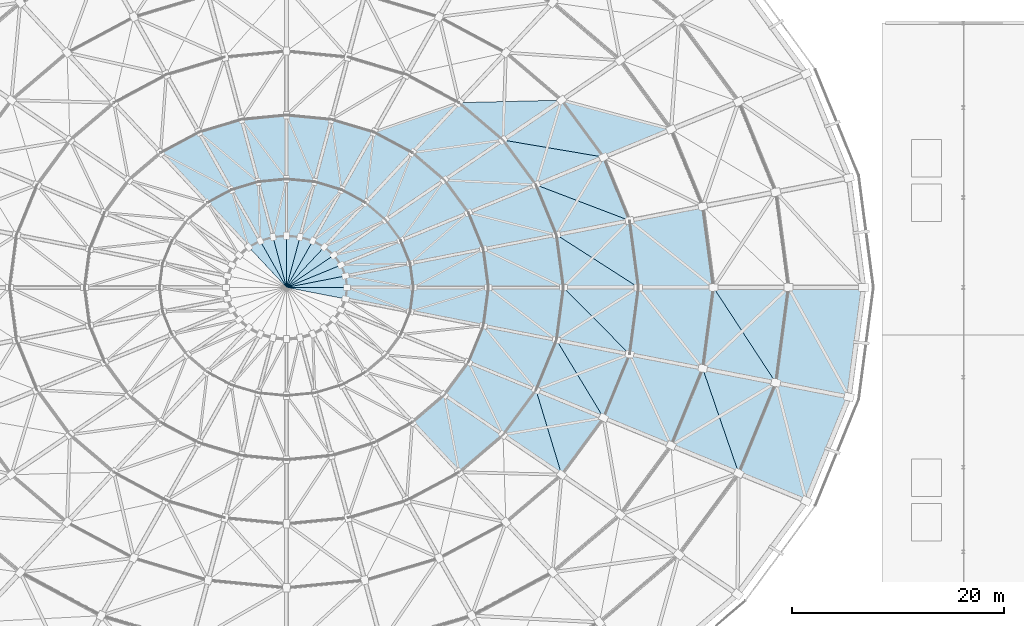
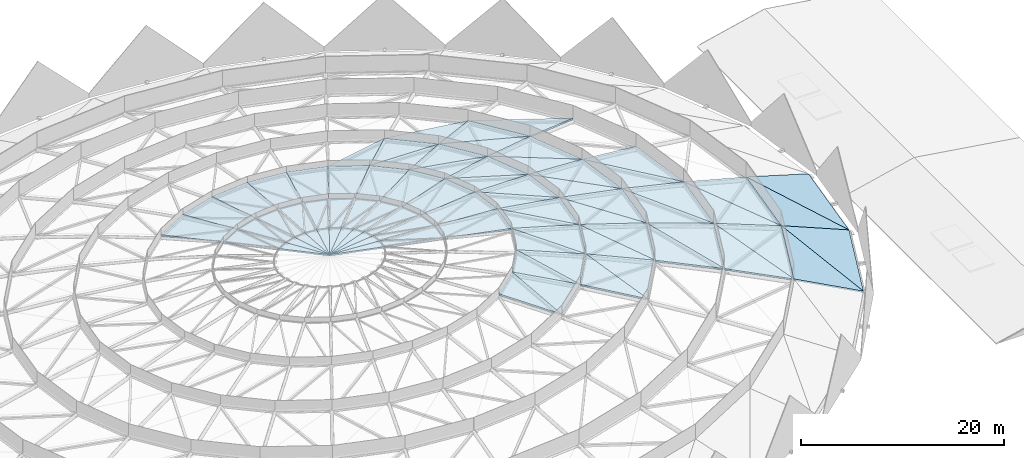
# One storey, part 21 of 27: 56 roofs.
"""IFC4 building model written with IfcOpenShell, lengths in metres."""

from ifc_helpers import new_model, si_unit, direction, frame, origin, place, context, subcontext, project, spatial, polyline, outline, extrude, material, layer, layer_set, type_object, element, save


model = new_model("IFC4")

# Units and contexts
model_context = context("Model", 3, precision=1e-05, world=origin(), true_north=direction((0.0, 1.0)))
body_context = subcontext(model_context, "Body", "Model", "MODEL_VIEW")
ifc_project = project(units=[si_unit("LENGTHUNIT", "METRE"), si_unit("AREAUNIT", "SQUARE_METRE"), si_unit("VOLUMEUNIT", "CUBIC_METRE"), si_unit("PLANEANGLEUNIT", "RADIAN"), si_unit("MASSUNIT", "GRAM", prefix="KILO")], contexts=[model_context])

# Site, building, storey
site_placement = place(None, origin())
site = spatial("IfcSite", under=ifc_project, at=site_placement, CompositionType="ELEMENT")
building_placement = place(site_placement, origin())
building = spatial("IfcBuilding", under=site, at=building_placement, Name="Cuetzalor Civic Arena", CompositionType="ELEMENT")
storey_placement = place(building_placement, frame((0.0, 0.0, 31.800048828125)))
storey = spatial("IfcBuildingStorey", under=building, at=storey_placement, Name="Roof", CompositionType="ELEMENT", Elevation=31.800048828125)

# Roofs
ifc_material = material(Name="Standing-seam acoustic zinc and steel deck", Category="steel")
ifc_layer = layer(ifc_material, 0.179931640625)
ifc_layer_set = layer_set([ifc_layer], Name="Standing-seam acoustic zinc and steel deck")
roof_type = type_object("IfcRoofType", Name="ArenaDomeRoof_StandingSeam", PredefinedType="DOME_ROOF", material=ifc_layer_set)
roof_1_placement = place(storey_placement, frame((49.14794921875, -20.197265625, 0.4150390625), z_axis=(0.270384315389, -0.110870987886, 0.956347189067), x_axis=(0.379392590278, 0.925235787485, 0.0)))
element("IfcRoof", 1, at=roof_1_placement, inside=storey, type_object=roof_type, Name="Arena Space-Frame Dome Shell Panel R1-S27A", PredefinedType="DOME_ROOF", context=body_context, shape_type="SweptSolid", body=[
    extrude(outline(polyline([(0.0, 0.0), (10.63390253661406, 4.440892098500626e-16), (9.256847321696066, 7.223142963294137), (0.0, 0.0)])), origin(), (0.0, 0.0, -1.0), 0.179931640625),
])
roof_2_placement = place(storey_placement, frame((49.14794921875, -20.197265625, 0.4150390625), z_axis=(0.270381615841, -0.110871808875, 0.956347857117), x_axis=(-0.24523208292, 0.952649916149, 0.179775868147)))
element("IfcRoof", 2, at=roof_2_placement, inside=storey, type_object=roof_type, Name="Arena Space-Frame Dome Shell Panel R1-S27B", PredefinedType="DOME_ROOF", context=body_context, shape_type="SweptSolid", body=[
    extrude(outline(polyline([(0.0, 0.0), (11.741508276425868, -3.885780586188048e-16), (4.4477687612989225, 5.691393143351305), (0.0, 0.0)])), origin(), (0.0, 0.0, -1.0), 0.179931640625),
])
roof_3_placement = place(storey_placement, frame((53.182373046875, -10.3583984375, 0.4150390625), z_axis=(0.285083534376, -0.037641132261, 0.957763292045), x_axis=(0.13089937041, 0.99139566008, 0.0)))
element("IfcRoof", 3, at=roof_3_placement, inside=storey, type_object=roof_type, Name="Arena Space-Frame Dome Shell Panel R1-S28A", PredefinedType="DOME_ROOF", context=body_context, shape_type="SweptSolid", body=[
    extrude(outline(polyline([(0.0, 0.0), (10.448299155011798, 2.220446049250313e-16), (9.52001936685034, 7.340576385085506), (0.0, 0.0)])), origin(), (0.0, 0.0, -1.0), 0.179931640625),
])
roof_4_placement = place(storey_placement, frame((53.182373046875, -10.3583984375, 0.4150390625), z_axis=(0.285080326458, -0.037643083852, 0.957764170193), x_axis=(-0.476139356121, 0.861660934165, 0.175589715207)))
element("IfcRoof", 4, at=roof_4_placement, inside=storey, type_object=roof_type, Name="Arena Space-Frame Dome Shell Panel R1-S28B", PredefinedType="DOME_ROOF", context=body_context, shape_type="SweptSolid", body=[
    extrude(outline(polyline([(0.0, 0.0), (12.021432128098567, -1.1102230246251565e-16), (4.822964066533819, 5.550593927323634), (0.0, 0.0)])), origin(), (0.0, 0.0, -1.0), 0.179931640625),
])
roof_5_placement = place(storey_placement, frame((42.758544921875, -17.571533203125, 2.52587890625), z_axis=(0.244639197779, -0.100315956375, 0.964410893658), x_axis=(0.379398237974, 0.925233471629, 0.0)))
element("IfcRoof", 5, at=roof_5_placement, inside=storey, type_object=roof_type, Name="Arena Space-Frame Dome Shell Panel R2-S27A", PredefinedType="DOME_ROOF", context=body_context, shape_type="SweptSolid", body=[
    extrude(outline(polyline([(0.0, 0.0), (9.251518363312615, 0.0), (7.874287721975854, 7.162409295902043), (0.0, 0.0)])), origin(), (0.0, 0.0, -1.0), 0.179931640625),
])
roof_6_placement = place(storey_placement, frame((42.758544921875, -17.571533203125, 2.52587890625), z_axis=(0.244636230763, -0.100317096975, 0.964411527644), x_axis=(-0.319749867351, 0.930648491332, 0.177914046413)))
element("IfcRoof", 6, at=roof_6_placement, inside=storey, type_object=roof_type, Name="Arena Space-Frame Dome Shell Panel R2-S27B", PredefinedType="DOME_ROOF", context=body_context, shape_type="SweptSolid", body=[
    extrude(outline(polyline([(0.0, 0.0), (10.644459312265875, 0.0), (4.823273233006193, 5.295003827984189), (0.0, 0.0)])), origin(), (0.0, 0.0, -1.0), 0.179931640625),
])
roof_7_placement = place(storey_placement, frame((46.2685546875, -9.01171875, 2.52587890625), z_axis=(0.257858759739, -0.034048645291, 0.965582492478), x_axis=(0.130907488693, 0.991394588146, 0.0)))
element("IfcRoof", 7, at=roof_7_placement, inside=storey, type_object=roof_type, Name="Arena Space-Frame Dome Shell Panel R2-S28A", PredefinedType="DOME_ROOF", context=body_context, shape_type="SweptSolid", body=[
    extrude(outline(polyline([(0.0, 0.0), (9.08994143982291, 2.220446049250313e-16), (8.161604080434747, 7.28112518317007), (0.0, 0.0)])), origin(), (0.0, 0.0, -1.0), 0.179931640625),
])
roof_8_placement = place(storey_placement, frame((46.2685546875, -9.01171875, 2.52587890625), z_axis=(0.25786639188, -0.03404325873, 0.965580644211), x_axis=(-0.539581172715, 0.823936633735, 0.17314901571)))
element("IfcRoof", 8, at=roof_8_placement, inside=storey, type_object=roof_type, Name="Arena Space-Frame Dome Shell Panel R2-S28B", PredefinedType="DOME_ROOF", context=body_context, shape_type="SweptSolid", body=[
    extrude(outline(polyline([(0.0, 0.0), (10.937392975419804, -5.551115123125783e-16), (5.167721459682312, 5.146991944485611), (0.0, 0.0)])), origin(), (0.0, 0.0, -1.0), 0.179931640625),
])
roof_9_placement = place(storey_placement, frame((40.366943359375, 0.0, 4.419677734375), z_axis=(0.22805797427, 0.030107981761, 0.973181930477), x_axis=(-0.130883326155, 0.991397778359, 0.0)))
element("IfcRoof", 9, at=roof_9_placement, inside=storey, type_object=roof_type, Name="Arena Space-Frame Dome Shell Panel R3-S01A", PredefinedType="DOME_ROOF", context=body_context, shape_type="SweptSolid", body=[
    extrude(outline(polyline([(0.0, 0.0), (7.73179380713896, -1.1102230246251565e-16), (7.301602100099006, 7.224345066480024), (0.0, 0.0)])), origin(), (0.0, 0.0, -1.0), 0.179931640625),
])
roof_10_placement = place(storey_placement, frame((40.366943359375, 0.0, 4.419677734375), z_axis=(0.228059572575, 0.030110102372, 0.973181490315), x_axis=(-0.77162533224, 0.615156333899, 0.161793175103)))
element("IfcRoof", 10, at=roof_10_placement, inside=storey, type_object=roof_type, Name="Arena Space-Frame Dome Shell Panel R3-S01B", PredefinedType="DOME_ROOF", context=body_context, shape_type="SweptSolid", body=[
    extrude(outline(polyline([(0.0, 0.0), (10.27154101718649, -3.3306690738754696e-16), (5.740900187620725, 4.482631066396403), (0.0, 0.0)])), origin(), (0.0, 0.0, -1.0), 0.179931640625),
])
roof_11_placement = place(storey_placement, frame((36.369384765625, 14.946044921875, 4.419677734375), z_axis=(0.193812687687, 0.142707587297, 0.970603516694), x_axis=(-0.954878809601, 0.254391171262, 0.153269667444)))
element("IfcRoof", 11, at=roof_11_placement, inside=storey, type_object=roof_type, Name="Arena Space-Frame Dome Shell Panel R3-S03B", PredefinedType="DOME_ROOF", context=body_context, shape_type="SweptSolid", body=[
    extrude(outline(polyline([(0.0, 0.0), (10.84275357343271, 3.3306690738754696e-16), (5.687624029940105, 4.2577655178239), (0.0, 0.0)])), origin(), (0.0, 0.0, -1.0), 0.179931640625),
])
roof_12_placement = place(storey_placement, frame((36.369384765625, -14.946044921875, 4.419677734375), z_axis=(0.216415023087, -0.088744528111, 0.972259711452), x_axis=(0.379405869929, 0.925230342057, 0.0)))
element("IfcRoof", 12, at=roof_12_placement, inside=storey, type_object=roof_type, Name="Arena Space-Frame Dome Shell Panel R3-S27A", PredefinedType="DOME_ROOF", context=body_context, shape_type="SweptSolid", body=[
    extrude(outline(polyline([(0.0, 0.0), (7.869134190476988, 0.0), (6.491979829215341, 7.104904813552269), (0.0, 0.0)])), origin(), (0.0, 0.0, -1.0), 0.179931640625),
])
roof_13_placement = place(storey_placement, frame((36.369384765625, -14.946044921875, 4.419677734375), z_axis=(0.216421502787, -0.088741355737, 0.972258558673), x_axis=(-0.408160405949, 0.896430853041, 0.172675443337)))
element("IfcRoof", 13, at=roof_13_placement, inside=storey, type_object=roof_type, Name="Arena Space-Frame Dome Shell Panel R3-S27B", PredefinedType="DOME_ROOF", context=body_context, shape_type="SweptSolid", body=[
    extrude(outline(polyline([(0.0, 0.0), (9.62421292951154, -3.885780586188048e-16), (5.248553073959941, 4.7885618864694655), (0.0, 0.0)])), origin(), (0.0, 0.0, -1.0), 0.179931640625),
])
roof_14_placement = place(storey_placement, frame((39.35498046875, -7.665283203125, 4.419677734375), z_axis=(0.228059585687, -0.030108194499, 0.97318154627), x_axis=(0.130883326155, 0.991397778359, 0.0)))
element("IfcRoof", 14, at=roof_14_placement, inside=storey, type_object=roof_type, Name="Arena Space-Frame Dome Shell Panel R3-S28A", PredefinedType="DOME_ROOF", context=body_context, shape_type="SweptSolid", body=[
    extrude(outline(polyline([(0.0, 0.0), (7.73179380713896, 3.3306690738754696e-16), (6.803627797658519, 7.224294020905501), (0.0, 0.0)])), origin(), (0.0, 0.0, -1.0), 0.179931640625),
])
roof_15_placement = place(storey_placement, frame((39.35498046875, -7.665283203125, 4.419677734375), z_axis=(0.228057617721, -0.030109844278, 0.973181956408), x_axis=(-0.612633521306, 0.772422081296, 0.167464315297)))
element("IfcRoof", 15, at=roof_15_placement, inside=storey, type_object=roof_type, Name="Arena Space-Frame Dome Shell Panel R3-S28B", PredefinedType="DOME_ROOF", context=body_context, shape_type="SweptSolid", body=[
    extrude(outline(polyline([(0.0, 0.0), (9.923697663147678, 4.996003610813204e-16), (5.554145137822903, 4.639795074394815), (0.0, 0.0)])), origin(), (0.0, 0.0, -1.0), 0.179931640625),
])
roof_16_placement = place(storey_placement, frame((33.275390625, 0.0, 6.08154296875), z_axis=(0.195069090356, 0.025754456232, 0.980451303213), x_axis=(-0.130891485179, 0.991396701178, 0.0)))
element("IfcRoof", 16, at=roof_16_placement, inside=storey, type_object=roof_type, Name="Arena Space-Frame Dome Shell Panel R4-S01A", PredefinedType="DOME_ROOF", context=body_context, shape_type="SweptSolid", body=[
    extrude(outline(polyline([(0.0, 0.0), (6.373436090834402, 1.1102230246251565e-16), (5.943270288492723, 7.170538256352219), (0.0, 0.0)])), origin(), (0.0, 0.0, -1.0), 0.179931640625),
])
roof_17_placement = place(storey_placement, frame((33.275390625, 0.0, 6.08154296875), z_axis=(0.19507077492, 0.025757196846, 0.980450896059), x_axis=(-0.831900044289, 0.533847310602, 0.151490479154)))
element("IfcRoof", 17, at=roof_17_placement, inside=storey, type_object=roof_type, Name="Arena Space-Frame Dome Shell Panel R4-S01B", PredefinedType="DOME_ROOF", context=body_context, shape_type="SweptSolid", body=[
    extrude(outline(polyline([(0.0, 0.0), (9.313381802969912, 3.885780586188048e-16), (6.112996134145744, 3.861158204494735), (0.0, 0.0)])), origin(), (0.0, 0.0, -1.0), 0.179931640625),
])
roof_18_placement = place(storey_placement, frame((32.441162109375, 6.318603515625, 6.08154296875), z_axis=(0.185157154769, 0.075921739416, 0.979771768078), x_axis=(-0.379384535293, 0.925239090387, 0.0)))
element("IfcRoof", 18, at=roof_18_placement, inside=storey, type_object=roof_type, Name="Arena Space-Frame Dome Shell Panel R4-S02A", PredefinedType="DOME_ROOF", context=body_context, shape_type="SweptSolid", body=[
    extrude(outline(polyline([(0.0, 0.0), (6.486657391294367, 0.0), (6.481175670468761, 7.050277657557898), (0.0, 0.0)])), origin(), (0.0, 0.0, -1.0), 0.179931640625),
])
roof_19_placement = place(storey_placement, frame((32.441162109375, 6.318603515625, 6.08154296875), z_axis=(0.18515794567, 0.075923946705, 0.979771447569), x_axis=(-0.92413380045, 0.352521991521, 0.147326047801)))
element("IfcRoof", 19, at=roof_19_placement, inside=storey, type_object=roof_type, Name="Arena Space-Frame Dome Shell Panel R4-S02B", PredefinedType="DOME_ROOF", context=body_context, shape_type="SweptSolid", body=[
    extrude(outline(polyline([(0.0, 0.0), (9.5766410144756, 5.551115123125783e-17), (6.122194064001955, 3.7577122489640167), (0.0, 0.0)])), origin(), (0.0, 0.0, -1.0), 0.179931640625),
])
roof_20_placement = place(storey_placement, frame((29.980224609375, 12.3203125, 6.08154296875), z_axis=(0.165890282167, 0.122147843913, 0.978550110372), x_axis=(-0.592924979879, 0.805257702997, 0.0)))
element("IfcRoof", 20, at=roof_20_placement, inside=storey, type_object=roof_type, Name="Arena Space-Frame Dome Shell Panel R4-S03A", PredefinedType="DOME_ROOF", context=body_context, shape_type="SweptSolid", body=[
    extrude(outline(polyline([(0.0, 0.0), (6.686099596548087, -4.440892098500626e-16), (6.9353363521462, 6.848677066912551), (0.0, 0.0)])), origin(), (0.0, 0.0, -1.0), 0.179931640625),
])
roof_21_placement = place(storey_placement, frame((29.980224609375, 12.3203125, 6.08154296875), z_axis=(0.165890209312, 0.122147349003, 0.9785501845), x_axis=(-0.975564394298, 0.165290886258, 0.144751633836)))
element("IfcRoof", 21, at=roof_21_placement, inside=storey, type_object=roof_type, Name="Arena Space-Frame Dome Shell Panel R4-S03B", PredefinedType="DOME_ROOF", context=body_context, shape_type="SweptSolid", body=[
    extrude(outline(polyline([(0.0, 0.0), (9.746961982292454, 1.6653345369377348e-16), (6.003255959231392, 3.696939678419985), (0.0, 0.0)])), origin(), (0.0, 0.0, -1.0), 0.179931640625),
])
roof_22_placement = place(storey_placement, frame((26.015869140625, 17.704345703125, 6.08154296875), z_axis=(0.138319357797, 0.162096427721, 0.97703249863), x_axis=(-0.989281400328, -0.02400176329, 0.144035503691)))
element("IfcRoof", 22, at=roof_22_placement, inside=storey, type_object=roof_type, Name="Arena Space-Frame Dome Shell Panel R4-S04B", PredefinedType="DOME_ROOF", context=body_context, shape_type="SweptSolid", body=[
    extrude(outline(polyline([(0.0, 0.0), (9.795422904225589, -8.326672684688674e-17), (5.778780524211913, 3.684045626778266), (0.0, 0.0)])), origin(), (0.0, 0.0, -1.0), 0.179931640625),
])
roof_23_placement = place(storey_placement, frame((26.015869140625, -17.704345703125, 6.08154296875), z_axis=(0.165890067061, -0.122147685527, 0.978550166609), x_axis=(0.592924979879, 0.805257702997, 0.0)))
element("IfcRoof", 23, at=roof_23_placement, inside=storey, type_object=roof_type, Name="Arena Space-Frame Dome Shell Panel R4-S26A", PredefinedType="DOME_ROOF", context=body_context, shape_type="SweptSolid", body=[
    extrude(outline(polyline([(0.0, 0.0), (6.686099596548087, 0.0), (5.012198198185634, 6.84868594742696), (0.0, 0.0)])), origin(), (0.0, 0.0, -1.0), 0.179931640625),
])
roof_24_placement = place(storey_placement, frame((26.015869140625, -17.704345703125, 6.08154296875), z_axis=(0.165890482663, -0.122147550275, 0.978550113036), x_axis=(-0.285713140757, 0.943785413002, 0.166244083813)))
element("IfcRoof", 24, at=roof_24_placement, inside=storey, type_object=roof_type, Name="Arena Space-Frame Dome Shell Panel R4-S26B", PredefinedType="DOME_ROOF", context=body_context, shape_type="SweptSolid", body=[
    extrude(outline(polyline([(0.0, 0.0), (8.486850416048277, 2.7755575615628914e-16), (5.379523867059674, 4.245847323082911), (0.0, 0.0)])), origin(), (0.0, 0.0, -1.0), 0.179931640625),
])
roof_25_placement = place(storey_placement, frame((29.980224609375, -12.3203125, 6.08154296875), z_axis=(0.185158298193, -0.075922208265, 0.979771515662), x_axis=(0.379384535293, 0.925239090387, 0.0)))
element("IfcRoof", 25, at=roof_25_placement, inside=storey, type_object=roof_type, Name="Arena Space-Frame Dome Shell Panel R4-S27A", PredefinedType="DOME_ROOF", context=body_context, shape_type="SweptSolid", body=[
    extrude(outline(polyline([(0.0, 0.0), (6.486657391294367, 0.0), (5.109754938206923, 7.050234119374815), (0.0, 0.0)])), origin(), (0.0, 0.0, -1.0), 0.179931640625),
])
roof_26_placement = place(storey_placement, frame((29.980224609375, -12.3203125, 6.08154296875), z_axis=(0.185156492577, -0.075923350864, 0.979771768347), x_axis=(-0.511373899201, 0.843943578903, 0.162036942838)))
element("IfcRoof", 26, at=roof_26_placement, inside=storey, type_object=roof_type, Name="Arena Space-Frame Dome Shell Panel R4-S27B", PredefinedType="DOME_ROOF", context=body_context, shape_type="SweptSolid", body=[
    extrude(outline(polyline([(0.0, 0.0), (8.707203722580907, -2.498001805406602e-16), (5.7118358461535905, 4.132962177968507), (0.0, 0.0)])), origin(), (0.0, 0.0, -1.0), 0.179931640625),
])
roof_27_placement = place(storey_placement, frame((32.441162109375, -6.318603515625, 6.08154296875), z_axis=(0.195070787572, -0.025754680311, 0.98045095965), x_axis=(0.130891485179, 0.991396701178, 0.0)))
element("IfcRoof", 27, at=roof_27_placement, inside=storey, type_object=roof_type, Name="Arena Space-Frame Dome Shell Panel R4-S28A", PredefinedType="DOME_ROOF", context=body_context, shape_type="SweptSolid", body=[
    extrude(outline(polyline([(0.0, 0.0), (6.373436090834402, 1.1102230246251565e-16), (5.44524417713336, 7.17047586897535), (0.0, 0.0)])), origin(), (0.0, 0.0, -1.0), 0.179931640625),
])
roof_28_placement = place(storey_placement, frame((32.441162109375, -6.318603515625, 6.08154296875), z_axis=(0.195068618006, -0.025756912046, 0.980451332678), x_axis=(-0.69494630021, 0.70177943719, 0.156701184943)))
element("IfcRoof", 28, at=roof_28_placement, inside=storey, type_object=roof_type, Name="Arena Space-Frame Dome Shell Panel R4-S28B", PredefinedType="DOME_ROOF", context=body_context, shape_type="SweptSolid", body=[
    extrude(outline(polyline([(0.0, 0.0), (9.00368859613451, 8.326672684688674e-17), (5.970722864420534, 3.9940117650804234), (0.0, 0.0)])), origin(), (0.0, 0.0, -1.0), 0.179931640625),
])
roof_29_placement = place(storey_placement, frame((26.18408203125, 0.0, 7.492431640625), z_axis=(0.157705954442, 0.020823536042, 0.987266535582), x_axis=(-0.130904064007, 0.991395040348, 0.0)))
element("IfcRoof", 29, at=roof_29_placement, inside=storey, type_object=roof_type, Name="Arena Space-Frame Dome Shell Panel R5-S01A", PredefinedType="DOME_ROOF", context=body_context, shape_type="SweptSolid", body=[
    extrude(outline(polyline([(0.0, 0.0), (5.015078375195358, -1.1102230246251565e-16), (4.585275772921347, 7.121257393996802), (0.0, 0.0)])), origin(), (0.0, 0.0, -1.0), 0.179931640625),
])
roof_30_placement = place(storey_placement, frame((26.18408203125, 0.0, 7.492431640625), z_axis=(0.157707016697, 0.020825822205, 0.987266317674), x_axis=(-0.893803432207, 0.428050211825, 0.133747675614)))
element("IfcRoof", 30, at=roof_30_placement, inside=storey, type_object=roof_type, Name="Arena Space-Frame Dome Shell Panel R5-S01B", PredefinedType="DOME_ROOF", context=body_context, shape_type="SweptSolid", body=[
    extrude(outline(polyline([(0.0, 0.0), (8.469773360916667, 3.3306690738754696e-16), (6.489965212440509, 3.0746928116300993), (0.0, 0.0)])), origin(), (0.0, 0.0, -1.0), 0.179931640625),
])
roof_31_placement = place(storey_placement, frame((25.527587890625, 4.971923828125, 7.492431640625), z_axis=(0.14972984132, 0.061396665702, 0.986818840547), x_axis=(-0.379392590278, 0.925235787485, 0.0)))
element("IfcRoof", 31, at=roof_31_placement, inside=storey, type_object=roof_type, Name="Arena Space-Frame Dome Shell Panel R5-S02A", PredefinedType="DOME_ROOF", context=body_context, shape_type="SweptSolid", body=[
    extrude(outline(polyline([(0.0, 0.0), (5.104273217574749, 0.0), (5.099170146662373, 7.000065292747582), (0.0, 0.0)])), origin(), (0.0, 0.0, -1.0), 0.179931640625),
])
roof_32_placement = place(storey_placement, frame((25.527587890625, 4.971923828125, 7.492431640625), z_axis=(0.149730542858, 0.061399607224, 0.986818551086), x_axis=(-0.961379619492, 0.24215614261, 0.130803783668)))
element("IfcRoof", 32, at=roof_32_placement, inside=storey, type_object=roof_type, Name="Arena Space-Frame Dome Shell Panel R5-S02B", PredefinedType="DOME_ROOF", context=body_context, shape_type="SweptSolid", body=[
    extrude(outline(polyline([(0.0, 0.0), (8.660395504094607, 4.163336342344337e-17), (6.468932586453731, 3.0083132051687524), (0.0, 0.0)])), origin(), (0.0, 0.0, -1.0), 0.179931640625),
])
roof_33_placement = place(storey_placement, frame((23.591064453125, 9.694580078125, 7.492431640625), z_axis=(0.134207650721, 0.098819025061, 0.986013745733), x_axis=(-0.592923590931, 0.805258725701, 0.0)))
element("IfcRoof", 33, at=roof_33_placement, inside=storey, type_object=roof_type, Name="Arena Space-Frame Dome Shell Panel R5-S03A", PredefinedType="DOME_ROOF", context=body_context, shape_type="SweptSolid", body=[
    extrude(outline(polyline([(0.0, 0.0), (5.261434953791573, 0.0), (5.510463553479632, 6.796983221946983), (0.0, 0.0)])), origin(), (0.0, 0.0, -1.0), 0.179931640625),
])
roof_34_placement = place(storey_placement, frame((23.591064453125, 9.694580078125, 7.492431640625), z_axis=(0.13420783029, 0.098823548156, 0.986013267973), x_axis=(-0.990167646545, 0.05298490647, 0.129462857303)))
element("IfcRoof", 34, at=roof_34_placement, inside=storey, type_object=roof_type, Name="Arena Space-Frame Dome Shell Panel R5-S03B", PredefinedType="DOME_ROOF", context=body_context, shape_type="SweptSolid", body=[
    extrude(outline(polyline([(0.0, 0.0), (8.750096541962046, -2.7755575615628914e-17), (6.334127307483881, 2.979894527772593), (0.0, 0.0)])), origin(), (0.0, 0.0, -1.0), 0.179931640625),
])
roof_35_placement = place(storey_placement, frame((20.471435546875, 13.931396484375, 7.492431640625), z_axis=(0.111965325272, 0.131212142279, 0.98501123834), x_axis=(-0.760693428242, 0.649111321909, 0.0)))
element("IfcRoof", 35, at=roof_35_placement, inside=storey, type_object=roof_type, Name="Arena Space-Frame Dome Shell Panel R5-S04A", PredefinedType="DOME_ROOF", context=body_context, shape_type="SweptSolid", body=[
    extrude(outline(polyline([(0.0, 0.0), (5.450285147504302, 0.0), (5.742528721281653, 6.567403055944744), (0.0, 0.0)])), origin(), (0.0, 0.0, -1.0), 0.179931640625),
])
roof_36_placement = place(storey_placement, frame((20.471435546875, 13.931396484375, 7.492431640625), z_axis=(0.111967357068, 0.131198998317, 0.985012758187), x_axis=(-0.98205243228, -0.136791071725, 0.12985077185)))
element("IfcRoof", 36, at=roof_36_placement, inside=storey, type_object=roof_type, Name="Arena Space-Frame Dome Shell Panel R5-S04B", PredefinedType="DOME_ROOF", context=body_context, shape_type="SweptSolid", body=[
    extrude(outline(polyline([(0.0, 0.0), (8.72395661463175, 8.326672684688674e-17), (6.108160237296738, 2.991884803664482), (0.0, 0.0)])), origin(), (0.0, 0.0, -1.0), 0.179931640625),
])
roof_37_placement = place(storey_placement, frame((16.325439453125, 17.46923828125, 7.492431640625), z_axis=(0.084154978675, 0.156962267143, 0.984012594562), x_axis=(-0.936485875007, -0.324946780784, 0.131923445869)))
element("IfcRoof", 37, at=roof_37_placement, inside=storey, type_object=roof_type, Name="Arena Space-Frame Dome Shell Panel R5-S05B", PredefinedType="DOME_ROOF", context=body_context, shape_type="SweptSolid", body=[
    extrude(outline(polyline([(0.0, 0.0), (8.58689289487366, 2.7755575615628914e-16), (5.827399328619506, 3.0426314713503273), (0.0, 0.0)])), origin(), (0.0, 0.0, -1.0), 0.179931640625),
])
roof_38_placement = place(storey_placement, frame((16.325439453125, -17.46923828125, 7.492431640625), z_axis=(0.11196142614, -0.131207572887, 0.985012290215), x_axis=(0.760693428242, 0.649111321909, 0.0)))
element("IfcRoof", 38, at=roof_38_placement, inside=storey, type_object=roof_type, Name="Arena Space-Frame Dome Shell Panel R5-S25A", PredefinedType="DOME_ROOF", context=body_context, shape_type="SweptSolid", body=[
    extrude(outline(polyline([(0.0, 0.0), (5.450285147504302, 0.0), (3.6818934787364617, 6.567631770183517), (0.0, 0.0)])), origin(), (0.0, 0.0, -1.0), 0.179931640625),
])
roof_39_placement = place(storey_placement, frame((16.325439453125, -17.46923828125, 7.492431640625), z_axis=(0.111972704759, -0.131205264534, 0.985011315644), x_axis=(-0.185733117213, 0.971013255596, 0.150454201094)))
element("IfcRoof", 39, at=roof_39_placement, inside=storey, type_object=roof_type, Name="Arena Space-Frame Dome Shell Panel R5-S25B", PredefinedType="DOME_ROOF", context=body_context, shape_type="SweptSolid", body=[
    extrude(outline(polyline([(0.0, 0.0), (7.5292846046278505, 0.0), (5.585693390136665, 3.4664417717639657), (0.0, 0.0)])), origin(), (0.0, 0.0, -1.0), 0.179931640625),
])
roof_40_placement = place(storey_placement, frame((20.471435546875, -13.931396484375, 7.492431640625), z_axis=(0.134209235218, -0.098820191749, 0.986013413136), x_axis=(0.592923590931, 0.805258725701, 0.0)))
element("IfcRoof", 40, at=roof_40_placement, inside=storey, type_object=roof_type, Name="Arena Space-Frame Dome Shell Panel R5-S26A", PredefinedType="DOME_ROOF", context=body_context, shape_type="SweptSolid", body=[
    extrude(outline(polyline([(0.0, 0.0), (5.261434953791573, 0.0), (3.587203761883724, 6.796902975628303), (0.0, 0.0)])), origin(), (0.0, 0.0, -1.0), 0.179931640625),
])
roof_41_placement = place(storey_placement, frame((20.471435546875, -13.931396484375, 7.492431640625), z_axis=(0.134205657157, -0.098821947975, 0.986013724136), x_axis=(-0.425450884791, 0.892897294833, 0.147397304967)))
element("IfcRoof", 41, at=roof_41_placement, inside=storey, type_object=roof_type, Name="Arena Space-Frame Dome Shell Panel R5-S26B", PredefinedType="DOME_ROOF", context=body_context, shape_type="SweptSolid", body=[
    extrude(outline(polyline([(0.0, 0.0), (7.685435634326632, -1.3877787807814457e-17), (5.894931831122794, 3.3927532874210953), (0.0, 0.0)])), origin(), (0.0, 0.0, -1.0), 0.179931640625),
])
roof_42_placement = place(storey_placement, frame((23.591064453125, -9.694580078125, 7.492431640625), z_axis=(0.149731033329, -0.061397154485, 0.986818629273), x_axis=(0.379392590278, 0.925235787485, 0.0)))
element("IfcRoof", 42, at=roof_42_placement, inside=storey, type_object=roof_type, Name="Arena Space-Frame Dome Shell Panel R5-S27A", PredefinedType="DOME_ROOF", context=body_context, shape_type="SweptSolid", body=[
    extrude(outline(polyline([(0.0, 0.0), (5.104273217574749, 0.0), (3.7269921150133243, 7.000009565207953), (0.0, 0.0)])), origin(), (0.0, 0.0, -1.0), 0.179931640625),
])
roof_43_placement = place(storey_placement, frame((23.591064453125, -9.694580078125, 7.492431640625), z_axis=(0.149728908118, -0.06139893687, 0.986818840834), x_axis=(-0.627625371752, 0.765298431176, 0.142845034823)))
element("IfcRoof", 43, at=roof_43_placement, inside=storey, type_object=roof_type, Name="Arena Space-Frame Dome Shell Panel R5-S27B", PredefinedType="DOME_ROOF", context=body_context, shape_type="SweptSolid", body=[
    extrude(outline(polyline([(0.0, 0.0), (7.930359647479698, -2.7755575615628914e-16), (6.181250950819479, 3.285281848952283), (0.0, 0.0)])), origin(), (0.0, 0.0, -1.0), 0.179931640625),
])
roof_44_placement = place(storey_placement, frame((25.527587890625, -4.971923828125, 7.492431640625), z_axis=(0.157707023745, -0.020823677233, 0.987266361793), x_axis=(0.130904064007, 0.991395040348, 0.0)))
element("IfcRoof", 44, at=roof_44_placement, inside=storey, type_object=roof_type, Name="Arena Space-Frame Dome Shell Panel R5-S28A", PredefinedType="DOME_ROOF", context=body_context, shape_type="SweptSolid", body=[
    extrude(outline(polyline([(0.0, 0.0), (5.015078375195358, 0.0), (4.086765302148113, 7.1212091096236865), (0.0, 0.0)])), origin(), (0.0, 0.0, -1.0), 0.179931640625),
])
roof_45_placement = place(storey_placement, frame((25.527587890625, -4.971923828125, 7.492431640625), z_axis=(0.157705550279, -0.020825628559, 0.987266556005), x_axis=(-0.783754070388, 0.605552456312, 0.137970213468)))
element("IfcRoof", 45, at=roof_45_placement, inside=storey, type_object=roof_type, Name="Arena Space-Frame Dome Shell Panel R5-S28B", PredefinedType="DOME_ROOF", context=body_context, shape_type="SweptSolid", body=[
    extrude(outline(polyline([(0.0, 0.0), (8.210558435199712, 9.020562075079397e-16), (6.390365016206717, 3.1717932007173775), (0.0, 0.0)])), origin(), (0.0, 0.0, -1.0), 0.179931640625),
])
roof_46_placement = place(storey_placement, frame((19.092529296875, 0.0, 8.625244140625), z_axis=(0.060371364557, 0.007972272451, 0.998144148514), x_axis=(-0.130917322618, 0.991393289587, 0.0)))
element("IfcRoof", 46, at=roof_46_placement, inside=storey, type_object=roof_type, Name="Arena Space-Frame Dome Apex Shell Panel S01", PredefinedType="DOME_ROOF", context=body_context, shape_type="SweptSolid", body=[
    extrude(outline(polyline([(0.0, 0.0), (3.6569627002011362, -5.551115123125783e-17), (2.4995428175566494, 18.963398677777317), (0.0, 0.0)])), origin(), (0.0, 0.0, -1.0), 0.179931640625),
])
roof_47_placement = place(storey_placement, frame((18.61376953125, 3.62548828125, 8.625244140625), z_axis=(0.057340237991, 0.023513359556, 0.998077762015), x_axis=(-0.379406628759, 0.925230030886, 0.0)))
element("IfcRoof", 47, at=roof_47_placement, inside=storey, type_object=roof_type, Name="Arena Space-Frame Dome Apex Shell Panel S02", PredefinedType="DOME_ROOF", context=body_context, shape_type="SweptSolid", body=[
    extrude(outline(polyline([(0.0, 0.0), (3.7218890445293704, -2.220446049250313e-16), (3.7077769119102615, 18.63337061748551), (0.0, 0.0)])), origin(), (0.0, 0.0, -1.0), 0.179931640625),
])
roof_48_placement = place(storey_placement, frame((17.20166015625, 7.069091796875, 8.625244140625), z_axis=(0.05143165391, 0.037871549789, 0.997958180834), x_axis=(-0.592940674136, 0.805246146812, 0.0)))
element("IfcRoof", 48, at=roof_48_placement, inside=storey, type_object=roof_type, Name="Arena Space-Frame Dome Apex Shell Panel S03", PredefinedType="DOME_ROOF", context=body_context, shape_type="SweptSolid", body=[
    extrude(outline(polyline([(0.0, 0.0), (3.836232362435057, 2.220446049250313e-16), (4.507205038415648, 18.08003878487378), (0.0, 0.0)])), origin(), (0.0, 0.0, -1.0), 0.179931640625),
])
roof_49_placement = place(storey_placement, frame((14.927001953125, 10.158203125, 8.625244140625), z_axis=(0.042946540683, 0.050323087607, 0.997809190926), x_axis=(-0.760655501722, 0.64915576536, 0.0)))
element("IfcRoof", 49, at=roof_49_placement, inside=storey, type_object=roof_type, Name="Arena Space-Frame Dome Apex Shell Panel S04", PredefinedType="DOME_ROOF", context=body_context, shape_type="SweptSolid", body=[
    extrude(outline(polyline([(0.0, 0.0), (3.974137059296952, -2.220446049250313e-16), (4.7600500355582005, 17.455083226769077), (0.0, 0.0)])), origin(), (0.0, 0.0, -1.0), 0.179931640625),
])
roof_50_placement = place(storey_placement, frame((11.904052734375, 12.738037109375, 8.625244140625), z_axis=(0.032305175387, 0.060254231527, 0.997660164197), x_axis=(-0.881320873547, 0.472518272505, 0.0)))
element("IfcRoof", 50, at=roof_50_placement, inside=storey, type_object=roof_type, Name="Arena Space-Frame Dome Apex Shell Panel S05", PredefinedType="DOME_ROOF", context=body_context, shape_type="SweptSolid", body=[
    extrude(outline(polyline([(0.0, 0.0), (4.107604047696118, 0.0), (4.472334864586277, 16.890701895383057), (0.0, 0.0)])), origin(), (0.0, 0.0, -1.0), 0.179931640625),
])
roof_51_placement = place(storey_placement, frame((8.283935546875, 14.678955078125, 8.625244140625), z_axis=(0.020055173909, 0.067158016521, 0.997540771506), x_axis=(-0.958187704523, 0.286140390195, 0.0)))
element("IfcRoof", 51, at=roof_51_placement, inside=storey, type_object=roof_type, Name="Arena Space-Frame Dome Apex Shell Panel S06", PredefinedType="DOME_ROOF", context=body_context, shape_type="SweptSolid", body=[
    extrude(outline(polyline([(0.0, 0.0), (4.211492562027139, 0.0), (3.7373232523743365, 16.476081269365853), (0.0, 0.0)])), origin(), (0.0, 0.0, -1.0), 0.179931640625),
])
roof_52_placement = place(storey_placement, frame((4.24853515625, 15.884033203125, 8.625244140625), z_axis=(0.006796926382, 0.070699409978, 0.997474508557), x_axis=(-0.995410496211, 0.095697147464, 0.0)))
element("IfcRoof", 52, at=roof_52_placement, inside=storey, type_object=roof_type, Name="Arena Space-Frame Dome Apex Shell Panel S07", PredefinedType="DOME_ROOF", context=body_context, shape_type="SweptSolid", body=[
    extrude(outline(polyline([(0.0, 0.0), (4.268123726262953, 0.0), (2.7089798202974507, 16.25876744597161), (0.0, 0.0)])), origin(), (0.0, 0.0, -1.0), 0.179931640625),
])
roof_53_placement = place(storey_placement, frame((0.0, 16.29248046875, 8.625244140625), z_axis=(-0.006796926382, 0.070699409978, 0.997474508557), x_axis=(-0.995410496211, -0.095697147464, 0.0)))
element("IfcRoof", 53, at=roof_53_placement, inside=storey, type_object=roof_type, Name="Arena Space-Frame Dome Apex Shell Panel S08", PredefinedType="DOME_ROOF", context=body_context, shape_type="SweptSolid", body=[
    extrude(outline(polyline([(0.0, 0.0), (4.268123726262953, 0.0), (1.559143905965503, 16.25876744597161), (0.0, 0.0)])), origin(), (0.0, 0.0, -1.0), 0.179931640625),
])
roof_54_placement = place(storey_placement, frame((-4.24853515625, 15.884033203125, 8.625244140625), z_axis=(-0.020055173909, 0.067158016521, 0.997540771506), x_axis=(-0.958187704523, -0.286140390195, 0.0)))
element("IfcRoof", 54, at=roof_54_placement, inside=storey, type_object=roof_type, Name="Arena Space-Frame Dome Apex Shell Panel S09", PredefinedType="DOME_ROOF", context=body_context, shape_type="SweptSolid", body=[
    extrude(outline(polyline([(0.0, 0.0), (4.211492562027139, 0.0), (0.4741693096528028, 16.476081269365853), (0.0, 0.0)])), origin(), (0.0, 0.0, -1.0), 0.179931640625),
])
roof_55_placement = place(storey_placement, frame((-8.283935546875, 14.678955078125, 8.625244140625), z_axis=(-0.032305175387, 0.060254231527, 0.997660164197), x_axis=(-0.881320873547, -0.472518272505, 0.0)))
element("IfcRoof", 55, at=roof_55_placement, inside=storey, type_object=roof_type, Name="Arena Space-Frame Dome Apex Shell Panel S10", PredefinedType="DOME_ROOF", context=body_context, shape_type="SweptSolid", body=[
    extrude(outline(polyline([(0.0, 0.0), (4.107604047696118, 0.0), (-0.36473081689015885, 16.890701895383057), (0.0, 0.0)])), origin(), (0.0, 0.0, -1.0), 0.179931640625),
])
roof_56_placement = place(storey_placement, frame((18.61376953125, -3.62548828125, 8.625244140625), z_axis=(0.060371364557, -0.007972272451, 0.998144148514), x_axis=(0.130917322618, 0.991393289587, 0.0)))
element("IfcRoof", 56, at=roof_56_placement, inside=storey, type_object=roof_type, Name="Arena Space-Frame Dome Apex Shell Panel S28", PredefinedType="DOME_ROOF", context=body_context, shape_type="SweptSolid", body=[
    extrude(outline(polyline([(0.0, 0.0), (3.6569627002011362, 5.551115123125783e-17), (1.1574198826444864, 18.963398677777313), (0.0, 0.0)])), origin(), (0.0, 0.0, -1.0), 0.179931640625),
])

save(model, "model.ifc")
